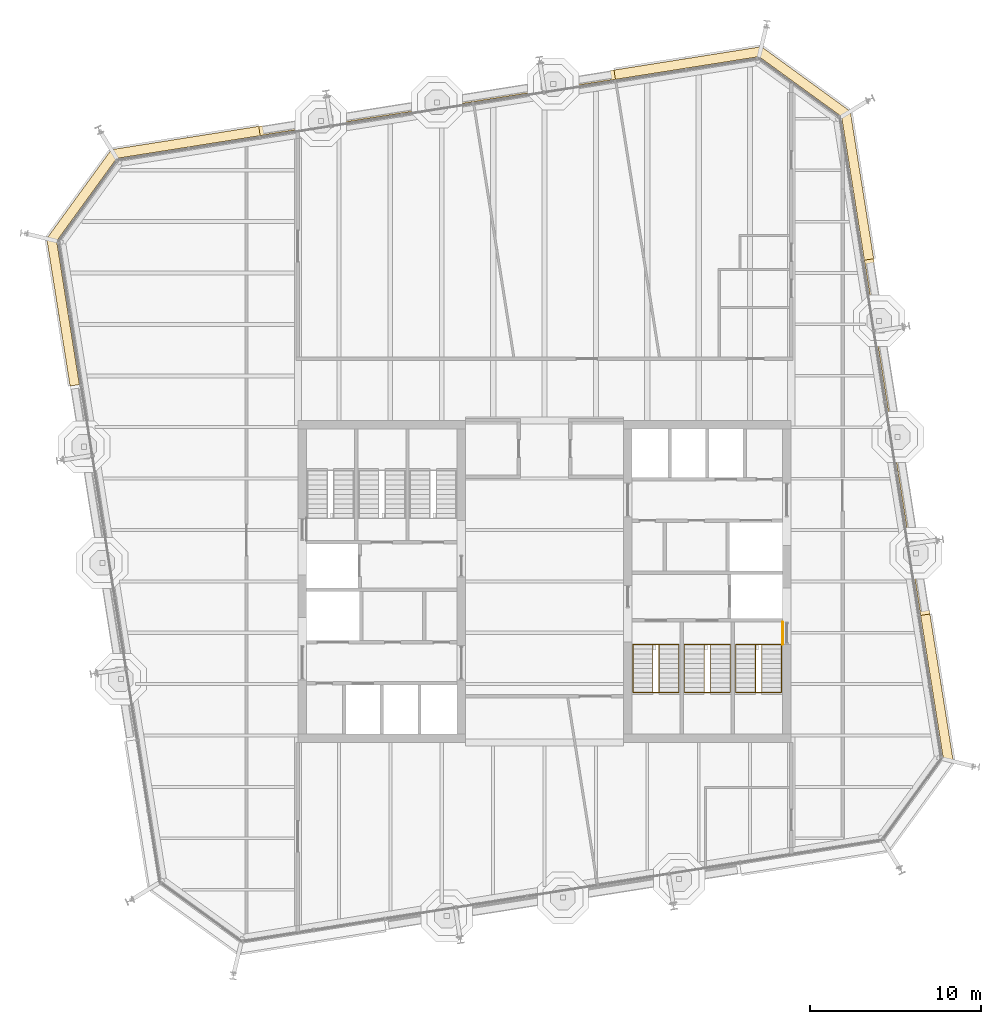
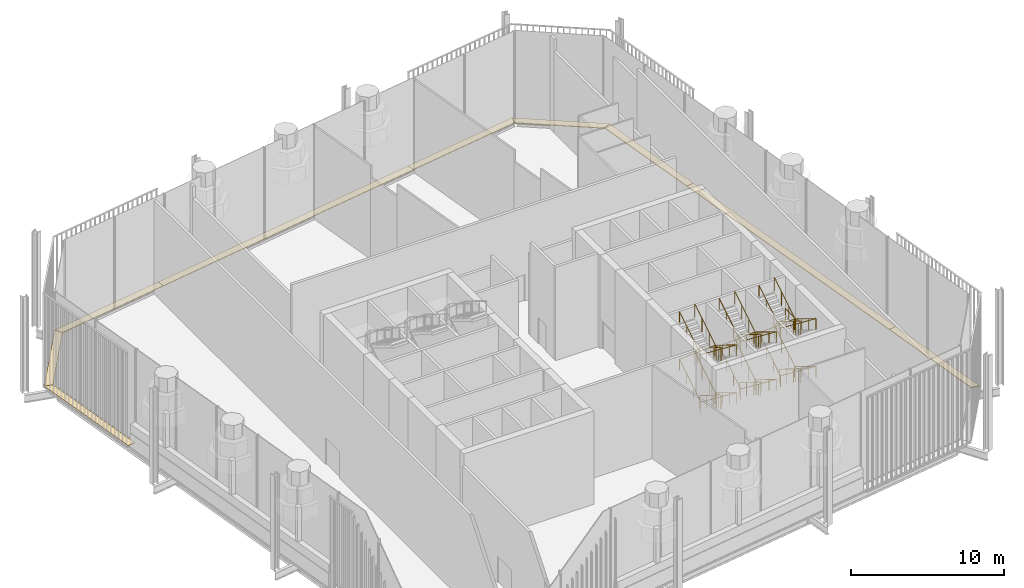
# One storey, part 16 of 17: 9 coverings, 7 railings.
"""IFC4 building model written with IfcOpenShell, lengths in metres."""

from ifc_helpers import new_model, si_unit, direction, frame, origin, origin_2d, place, context, subcontext, project, spatial, polyline, circle, outline, extrude, material, layer, layer_set, type_object, element, save


model = new_model("IFC4")

# Units and contexts
model_context = context("Model", 3, precision=1e-05, world=origin(), true_north=direction((0.0, 1.0)))
body_context = subcontext(model_context, "Body", "Model", "MODEL_VIEW")
ifc_project = project(units=[si_unit("LENGTHUNIT", "METRE"), si_unit("AREAUNIT", "SQUARE_METRE"), si_unit("VOLUMEUNIT", "CUBIC_METRE"), si_unit("PLANEANGLEUNIT", "RADIAN"), si_unit("MASSUNIT", "GRAM", prefix="KILO")], contexts=[model_context])

# Site, building, storey
site_placement = place(None, origin())
site = spatial("IfcSite", under=ifc_project, at=site_placement, CompositionType="ELEMENT")
building_placement = place(site_placement, origin())
building = spatial("IfcBuilding", under=site, at=building_placement, Name="Millrace Tower", CompositionType="ELEMENT")
storey_placement = place(building_placement, frame((0.0, 0.0, 239.800048828125)))
storey = spatial("IfcBuildingStorey", under=building, at=storey_placement, Name="L55", CompositionType="ELEMENT", Elevation=239.800048828125)

# Coverings
ifc_material_1 = material(Name="Steel ASTM A36", Category="steel")
ifc_layer = layer(ifc_material_1, 0.050048828125)
ifc_layer_set = layer_set([ifc_layer], Name="Steel ASTM A36")
covering_type = type_object("IfcCoveringType", Name="CAVITY CATWALK steel grating", PredefinedType="FLOORING", material=ifc_layer_set)
placement = place(storey_placement, frame((0.0, 0.0, 0.099853515625)))
element("IfcCovering", 1, at=placement, inside=storey, type_object=covering_type, Name="Cavity catwalk grating D-F04 L55 1", PredefinedType="FLOORING", context=body_context, shape_type="SweptSolid", body=[
    extrude(outline(polyline([(23.86279296875, -10.5087890625), (22.500244140625, -1.905517578125), (21.95703125, -1.991455078125), (23.283935546875, -10.369873046875), (23.86279296875, -10.5087890625)])), origin(), (0.0, 0.0, 1.0), 0.050048828125),
])
element("IfcCovering", 2, at=placement, inside=storey, type_object=covering_type, Name="Cavity catwalk grating D-F04 L55 2", PredefinedType="FLOORING", context=body_context, shape_type="SweptSolid", body=[
    extrude(outline(polyline([(22.500244140625, -1.905517578125), (19.215087890625, 18.8359375), (18.671875, 18.75), (21.95703125, -1.991455078125), (22.500244140625, -1.905517578125)])), origin(), (0.0, 0.0, 1.0), 0.050048828125),
])
element("IfcCovering", 3, at=placement, inside=storey, type_object=covering_type, Name="Cavity catwalk grating D-F04 L55 3", PredefinedType="FLOORING", context=body_context, shape_type="SweptSolid", body=[
    extrude(outline(polyline([(19.215087890625, 18.8359375), (17.852294921875, 27.439453125), (17.3447265625, 27.12841796875), (18.671875, 18.75), (19.215087890625, 18.8359375)])), origin(), (0.0, 0.0, 1.0), 0.050048828125),
])
element("IfcCovering", 4, at=placement, inside=storey, type_object=covering_type, Name="Cavity catwalk grating D-F05 L55 1", PredefinedType="FLOORING", context=body_context, shape_type="SweptSolid", body=[
    extrude(outline(polyline([(17.852294921875, 27.439453125), (12.658935546875, 31.212890625), (12.519775390625, 30.634033203125), (17.3447265625, 27.12841796875), (17.852294921875, 27.439453125)])), origin(), (0.0, 0.0, 1.0), 0.050048828125),
])
element("IfcCovering", 5, at=placement, inside=storey, type_object=covering_type, Name="Cavity catwalk grating D-F06 L55 1", PredefinedType="FLOORING", context=body_context, shape_type="SweptSolid", body=[
    extrude(outline(polyline([(12.658935546875, 31.212890625), (4.055419921875, 29.85009765625), (4.141357421875, 29.306884765625), (12.519775390625, 30.634033203125), (12.658935546875, 31.212890625)])), origin(), (0.0, 0.0, 1.0), 0.050048828125),
])
element("IfcCovering", 6, at=placement, inside=storey, type_object=covering_type, Name="Cavity catwalk grating D-F06 L55 2", PredefinedType="FLOORING", context=body_context, shape_type="SweptSolid", body=[
    extrude(outline(polyline([(4.055419921875, 29.85009765625), (-16.68603515625, 26.56494140625), (-16.60009765625, 26.021728515625), (4.141357421875, 29.306884765625), (4.055419921875, 29.85009765625)])), origin(), (0.0, 0.0, 1.0), 0.050048828125),
])
element("IfcCovering", 7, at=placement, inside=storey, type_object=covering_type, Name="Cavity catwalk grating D-F06 L55 3", PredefinedType="FLOORING", context=body_context, shape_type="SweptSolid", body=[
    extrude(outline(polyline([(-16.68603515625, 26.56494140625), (-25.28955078125, 25.202392578125), (-24.978515625, 24.69482421875), (-16.60009765625, 26.021728515625), (-16.68603515625, 26.56494140625)])), origin(), (0.0, 0.0, 1.0), 0.050048828125),
])
element("IfcCovering", 8, at=placement, inside=storey, type_object=covering_type, Name="Cavity catwalk grating D-F07 L55 1", PredefinedType="FLOORING", context=body_context, shape_type="SweptSolid", body=[
    extrude(outline(polyline([(-25.28955078125, 25.202392578125), (-29.062744140625, 20.0087890625), (-28.48388671875, 19.869873046875), (-24.978515625, 24.69482421875), (-25.28955078125, 25.202392578125)])), origin(), (0.0, 0.0, 1.0), 0.050048828125),
])
element("IfcCovering", 9, at=placement, inside=storey, type_object=covering_type, Name="Cavity catwalk grating D-F08 L55 1", PredefinedType="FLOORING", context=body_context, shape_type="SweptSolid", body=[
    extrude(outline(polyline([(-29.062744140625, 20.0087890625), (-27.7001953125, 11.405517578125), (-27.156982421875, 11.491455078125), (-28.48388671875, 19.869873046875), (-29.062744140625, 20.0087890625)])), origin(), (0.0, 0.0, 1.0), 0.050048828125),
])

# Railings
ifc_material_2 = material(Name="Stainless steel ASTM A240 type 316", Category="steel")
railing_type_1 = type_object("IfcRailingType", Name="Stair guard 1100", PredefinedType="GUARDRAIL", material=ifc_material_2)
railing_1_placement = place(storey_placement, frame((12.679931640625, -3.679931640625, 0.172607421875)))
element("IfcRailing", 10, at=railing_1_placement, inside=storey, type_object=railing_type_1, Name="Stair guard 1 E L55", PredefinedType="GUARDRAIL", context=body_context, shape_type="SweptSolid", body=[
    extrude(circle(Radius=0.02392578125, at=origin_2d()), frame((0.0, 0.0, 1.076171875), z_axis=(0.0, -0.851089632645, 0.525020415988), x_axis=(1.0, 0.0, 0.0)), (0.0, 0.0, 1.0), 3.2900390625),
    extrude(circle(Radius=0.02392578125, at=origin_2d()), frame((0.0, -2.800048828125, 2.80322265625), z_axis=(-0.901408511443, 0.0, 0.432969624221), x_axis=(0.0, -1.0, 0.0)), (0.0, 0.0, 1.0), 0.399169921875),
    extrude(circle(Radius=0.02392578125, at=origin_2d()), frame((-0.35986328125, -2.800048828125, 2.97607421875), z_axis=(0.0, 0.851089632645, 0.525020415988), x_axis=(-1.0, 0.0, 0.0)), (0.0, 0.0, 1.0), 3.2900390625),
    extrude(circle(Radius=0.02392578125, at=origin_2d()), frame((-0.35986328125, 0.0, 4.70361328125), z_axis=(0.901647110569, 0.0, 0.432472528611), x_axis=(0.0, 1.0, 0.0)), (0.0, 0.0, 1.0), 0.399169921875),
    extrude(circle(Radius=0.02392578125, at=origin_2d()), frame((0.0, 0.0, 4.8759765625), z_axis=(0.0, -0.851089632645, 0.525020415988), x_axis=(1.0, 0.0, 0.0)), (0.0, 0.0, 1.0), 3.2900390625),
    extrude(circle(Radius=0.02392578125, at=origin_2d()), frame((0.0, -2.800048828125, 6.603515625), z_axis=(-0.901647110569, 0.0, 0.432472528611), x_axis=(0.0, -1.0, 0.0)), (0.0, 0.0, 1.0), 0.399169921875),
    extrude(circle(Radius=0.02392578125, at=origin_2d()), frame((-0.35986328125, -2.800048828125, 6.77587890625), z_axis=(0.0, 0.851089632645, 0.525020415988), x_axis=(-1.0, 0.0, 0.0)), (0.0, 0.0, 1.0), 3.2900390625),
    extrude(circle(Radius=0.02099609375, at=origin_2d()), origin(), (0.0, 0.0, 1.0), 1.052001953125),
    extrude(circle(Radius=0.02099609375, at=origin_2d()), frame((0.0, -0.933349609375, 0.57568359375)), (0.0, 0.0, 1.0), 1.052001953125),
    extrude(circle(Radius=0.02099609375, at=origin_2d()), frame((0.0, -1.86669921875, 1.151611328125)), (0.0, 0.0, 1.0), 1.052001953125),
    extrude(circle(Radius=0.02099609375, at=origin_2d()), frame((0.0, -2.800048828125, 1.727294921875)), (0.0, 0.0, 1.0), 1.052001953125),
    extrude(circle(Radius=0.02099609375, at=origin_2d()), frame((-0.35986328125, -2.800048828125, 1.900146484375)), (0.0, 0.0, 1.0), 1.052001953125),
    extrude(circle(Radius=0.02099609375, at=origin_2d()), frame((-0.35986328125, -1.86669921875, 2.475830078125)), (0.0, 0.0, 1.0), 1.052001953125),
    extrude(circle(Radius=0.02099609375, at=origin_2d()), frame((-0.35986328125, -0.933349609375, 3.0517578125)), (0.0, 0.0, 1.0), 1.052001953125),
    extrude(circle(Radius=0.02099609375, at=origin_2d()), frame((-0.35986328125, 0.0, 3.62744140625)), (0.0, 0.0, 1.0), 1.052001953125),
    extrude(circle(Radius=0.02099609375, at=origin_2d()), frame((0.0, 0.0, 3.800048828125)), (0.0, 0.0, 1.0), 1.052001953125),
    extrude(circle(Radius=0.02099609375, at=origin_2d()), frame((0.0, -0.933349609375, 4.375732421875)), (0.0, 0.0, 1.0), 1.052001953125),
    extrude(circle(Radius=0.02099609375, at=origin_2d()), frame((0.0, -1.86669921875, 4.95166015625)), (0.0, 0.0, 1.0), 1.052001953125),
    extrude(circle(Radius=0.02099609375, at=origin_2d()), frame((0.0, -2.800048828125, 5.52734375)), (0.0, 0.0, 1.0), 1.052001953125),
    extrude(circle(Radius=0.02099609375, at=origin_2d()), frame((-0.35986328125, -2.800048828125, 5.699951171875)), (0.0, 0.0, 1.0), 1.052001953125),
    extrude(circle(Radius=0.02099609375, at=origin_2d()), frame((-0.35986328125, -1.86669921875, 6.275634765625)), (0.0, 0.0, 1.0), 1.052001953125),
    extrude(circle(Radius=0.02099609375, at=origin_2d()), frame((-0.35986328125, -0.933349609375, 6.8515625)), (0.0, 0.0, 1.0), 1.052001953125),
    extrude(circle(Radius=0.02099609375, at=origin_2d()), frame((-0.35986328125, 0.0, 7.42724609375)), (0.0, 0.0, 1.0), 1.052001953125),
])
railing_2_placement = place(storey_placement, frame((13.89990234375, -3.679931640625, 3.800048828125)))
element("IfcRailing", 11, at=railing_2_placement, inside=storey, type_object=railing_type_1, Name="Stair door landing guard E L55", PredefinedType="GUARDRAIL", context=body_context, shape_type="SweptSolid", body=[
    extrude(circle(Radius=0.02392578125, at=origin_2d()), frame((0.0, 0.0, 1.076171875), z_axis=(0.0, 1.0, 0.0), x_axis=(-1.0, 0.0, 0.0)), (0.0, 0.0, 1.0), 1.300048828125),
    extrude(circle(Radius=0.02099609375, at=origin_2d()), origin(), (0.0, 0.0, 1.0), 1.052001953125),
    extrude(circle(Radius=0.02099609375, at=origin_2d()), frame((0.0, 1.300048828125, 0.0)), (0.0, 0.0, 1.0), 1.052001953125),
])
railing_3_placement = place(storey_placement, frame((9.679931640625, -3.679931640625, 0.172607421875)))
element("IfcRailing", 12, at=railing_3_placement, inside=storey, type_object=railing_type_1, Name="Stair guard 2 E L55", PredefinedType="GUARDRAIL", context=body_context, shape_type="SweptSolid", body=[
    extrude(circle(Radius=0.02392578125, at=origin_2d()), frame((0.0, 0.0, 1.076171875), z_axis=(0.0, -0.851089632645, 0.525020415988), x_axis=(1.0, 0.0, 0.0)), (0.0, 0.0, 1.0), 3.2900390625),
    extrude(circle(Radius=0.02392578125, at=origin_2d()), frame((0.0, -2.800048828125, 2.80322265625), z_axis=(-0.901408511443, 0.0, 0.432969624221), x_axis=(0.0, -1.0, 0.0)), (0.0, 0.0, 1.0), 0.399169921875),
    extrude(circle(Radius=0.02392578125, at=origin_2d()), frame((-0.35986328125, -2.800048828125, 2.97607421875), z_axis=(0.0, 0.851089632645, 0.525020415988), x_axis=(-1.0, 0.0, 0.0)), (0.0, 0.0, 1.0), 3.2900390625),
    extrude(circle(Radius=0.02392578125, at=origin_2d()), frame((-0.35986328125, 0.0, 4.70361328125), z_axis=(0.901647110569, 0.0, 0.432472528611), x_axis=(0.0, 1.0, 0.0)), (0.0, 0.0, 1.0), 0.399169921875),
    extrude(circle(Radius=0.02392578125, at=origin_2d()), frame((0.0, 0.0, 4.8759765625), z_axis=(0.0, -0.851089632645, 0.525020415988), x_axis=(1.0, 0.0, 0.0)), (0.0, 0.0, 1.0), 3.2900390625),
    extrude(circle(Radius=0.02392578125, at=origin_2d()), frame((0.0, -2.800048828125, 6.603515625), z_axis=(-0.901647110569, 0.0, 0.432472528611), x_axis=(0.0, -1.0, 0.0)), (0.0, 0.0, 1.0), 0.399169921875),
    extrude(circle(Radius=0.02392578125, at=origin_2d()), frame((-0.35986328125, -2.800048828125, 6.77587890625), z_axis=(0.0, 0.851089632645, 0.525020415988), x_axis=(-1.0, 0.0, 0.0)), (0.0, 0.0, 1.0), 3.2900390625),
    extrude(circle(Radius=0.02099609375, at=origin_2d()), origin(), (0.0, 0.0, 1.0), 1.052001953125),
    extrude(circle(Radius=0.02099609375, at=origin_2d()), frame((0.0, -0.933349609375, 0.57568359375)), (0.0, 0.0, 1.0), 1.052001953125),
    extrude(circle(Radius=0.02099609375, at=origin_2d()), frame((0.0, -1.86669921875, 1.151611328125)), (0.0, 0.0, 1.0), 1.052001953125),
    extrude(circle(Radius=0.02099609375, at=origin_2d()), frame((0.0, -2.800048828125, 1.727294921875)), (0.0, 0.0, 1.0), 1.052001953125),
    extrude(circle(Radius=0.02099609375, at=origin_2d()), frame((-0.35986328125, -2.800048828125, 1.900146484375)), (0.0, 0.0, 1.0), 1.052001953125),
    extrude(circle(Radius=0.02099609375, at=origin_2d()), frame((-0.35986328125, -1.86669921875, 2.475830078125)), (0.0, 0.0, 1.0), 1.052001953125),
    extrude(circle(Radius=0.02099609375, at=origin_2d()), frame((-0.35986328125, -0.933349609375, 3.0517578125)), (0.0, 0.0, 1.0), 1.052001953125),
    extrude(circle(Radius=0.02099609375, at=origin_2d()), frame((-0.35986328125, 0.0, 3.62744140625)), (0.0, 0.0, 1.0), 1.052001953125),
    extrude(circle(Radius=0.02099609375, at=origin_2d()), frame((0.0, 0.0, 3.800048828125)), (0.0, 0.0, 1.0), 1.052001953125),
    extrude(circle(Radius=0.02099609375, at=origin_2d()), frame((0.0, -0.933349609375, 4.375732421875)), (0.0, 0.0, 1.0), 1.052001953125),
    extrude(circle(Radius=0.02099609375, at=origin_2d()), frame((0.0, -1.86669921875, 4.95166015625)), (0.0, 0.0, 1.0), 1.052001953125),
    extrude(circle(Radius=0.02099609375, at=origin_2d()), frame((0.0, -2.800048828125, 5.52734375)), (0.0, 0.0, 1.0), 1.052001953125),
    extrude(circle(Radius=0.02099609375, at=origin_2d()), frame((-0.35986328125, -2.800048828125, 5.699951171875)), (0.0, 0.0, 1.0), 1.052001953125),
    extrude(circle(Radius=0.02099609375, at=origin_2d()), frame((-0.35986328125, -1.86669921875, 6.275634765625)), (0.0, 0.0, 1.0), 1.052001953125),
    extrude(circle(Radius=0.02099609375, at=origin_2d()), frame((-0.35986328125, -0.933349609375, 6.8515625)), (0.0, 0.0, 1.0), 1.052001953125),
    extrude(circle(Radius=0.02099609375, at=origin_2d()), frame((-0.35986328125, 0.0, 7.42724609375)), (0.0, 0.0, 1.0), 1.052001953125),
])
railing_4_placement = place(storey_placement, frame((6.679931640625, -3.679931640625, 0.172607421875)))
element("IfcRailing", 13, at=railing_4_placement, inside=storey, type_object=railing_type_1, Name="Stair guard 3 E L55", PredefinedType="GUARDRAIL", context=body_context, shape_type="SweptSolid", body=[
    extrude(circle(Radius=0.02392578125, at=origin_2d()), frame((0.0, 0.0, 1.076171875), z_axis=(0.0, -0.851089632645, 0.525020415988), x_axis=(1.0, 0.0, 0.0)), (0.0, 0.0, 1.0), 3.2900390625),
    extrude(circle(Radius=0.02392578125, at=origin_2d()), frame((0.0, -2.800048828125, 2.80322265625), z_axis=(-0.901408511443, 0.0, 0.432969624221), x_axis=(0.0, -1.0, 0.0)), (0.0, 0.0, 1.0), 0.399169921875),
    extrude(circle(Radius=0.02392578125, at=origin_2d()), frame((-0.35986328125, -2.800048828125, 2.97607421875), z_axis=(0.0, 0.851089632645, 0.525020415988), x_axis=(-1.0, 0.0, 0.0)), (0.0, 0.0, 1.0), 3.2900390625),
    extrude(circle(Radius=0.02392578125, at=origin_2d()), frame((-0.35986328125, 0.0, 4.70361328125), z_axis=(0.901647110569, 0.0, 0.432472528611), x_axis=(0.0, 1.0, 0.0)), (0.0, 0.0, 1.0), 0.399169921875),
    extrude(circle(Radius=0.02392578125, at=origin_2d()), frame((0.0, 0.0, 4.8759765625), z_axis=(0.0, -0.851089632645, 0.525020415988), x_axis=(1.0, 0.0, 0.0)), (0.0, 0.0, 1.0), 3.2900390625),
    extrude(circle(Radius=0.02392578125, at=origin_2d()), frame((0.0, -2.800048828125, 6.603515625), z_axis=(-0.901647110569, 0.0, 0.432472528611), x_axis=(0.0, -1.0, 0.0)), (0.0, 0.0, 1.0), 0.399169921875),
    extrude(circle(Radius=0.02392578125, at=origin_2d()), frame((-0.35986328125, -2.800048828125, 6.77587890625), z_axis=(0.0, 0.851089632645, 0.525020415988), x_axis=(-1.0, 0.0, 0.0)), (0.0, 0.0, 1.0), 3.2900390625),
    extrude(circle(Radius=0.02099609375, at=origin_2d()), origin(), (0.0, 0.0, 1.0), 1.052001953125),
    extrude(circle(Radius=0.02099609375, at=origin_2d()), frame((0.0, -0.933349609375, 0.57568359375)), (0.0, 0.0, 1.0), 1.052001953125),
    extrude(circle(Radius=0.02099609375, at=origin_2d()), frame((0.0, -1.86669921875, 1.151611328125)), (0.0, 0.0, 1.0), 1.052001953125),
    extrude(circle(Radius=0.02099609375, at=origin_2d()), frame((0.0, -2.800048828125, 1.727294921875)), (0.0, 0.0, 1.0), 1.052001953125),
    extrude(circle(Radius=0.02099609375, at=origin_2d()), frame((-0.35986328125, -2.800048828125, 1.900146484375)), (0.0, 0.0, 1.0), 1.052001953125),
    extrude(circle(Radius=0.02099609375, at=origin_2d()), frame((-0.35986328125, -1.86669921875, 2.475830078125)), (0.0, 0.0, 1.0), 1.052001953125),
    extrude(circle(Radius=0.02099609375, at=origin_2d()), frame((-0.35986328125, -0.933349609375, 3.0517578125)), (0.0, 0.0, 1.0), 1.052001953125),
    extrude(circle(Radius=0.02099609375, at=origin_2d()), frame((-0.35986328125, 0.0, 3.62744140625)), (0.0, 0.0, 1.0), 1.052001953125),
    extrude(circle(Radius=0.02099609375, at=origin_2d()), frame((0.0, 0.0, 3.800048828125)), (0.0, 0.0, 1.0), 1.052001953125),
    extrude(circle(Radius=0.02099609375, at=origin_2d()), frame((0.0, -0.933349609375, 4.375732421875)), (0.0, 0.0, 1.0), 1.052001953125),
    extrude(circle(Radius=0.02099609375, at=origin_2d()), frame((0.0, -1.86669921875, 4.95166015625)), (0.0, 0.0, 1.0), 1.052001953125),
    extrude(circle(Radius=0.02099609375, at=origin_2d()), frame((0.0, -2.800048828125, 5.52734375)), (0.0, 0.0, 1.0), 1.052001953125),
    extrude(circle(Radius=0.02099609375, at=origin_2d()), frame((-0.35986328125, -2.800048828125, 5.699951171875)), (0.0, 0.0, 1.0), 1.052001953125),
    extrude(circle(Radius=0.02099609375, at=origin_2d()), frame((-0.35986328125, -1.86669921875, 6.275634765625)), (0.0, 0.0, 1.0), 1.052001953125),
    extrude(circle(Radius=0.02099609375, at=origin_2d()), frame((-0.35986328125, -0.933349609375, 6.8515625)), (0.0, 0.0, 1.0), 1.052001953125),
    extrude(circle(Radius=0.02099609375, at=origin_2d()), frame((-0.35986328125, 0.0, 7.42724609375)), (0.0, 0.0, 1.0), 1.052001953125),
])
ifc_material_3 = material(Name="Stainless steel ASTM A240 type 316", Category="steel")
railing_type_2 = type_object("IfcRailingType", Name="Stair handrail 900", PredefinedType="HANDRAIL", material=ifc_material_3)
railing_5_placement = place(storey_placement, frame((13.840087890625, -3.679931640625, 0.172607421875)))
element("IfcRailing", 14, at=railing_5_placement, inside=storey, type_object=railing_type_2, Name="Stair handrail 1 E L55", PredefinedType="HANDRAIL", context=body_context, shape_type="SweptSolid", body=[
    extrude(circle(Radius=0.02392578125, at=origin_2d()), frame((0.0, 0.0, 0.8759765625), z_axis=(0.0, -0.851089632645, 0.525020415988), x_axis=(1.0, 0.0, 0.0)), (0.0, 0.0, 1.0), 3.2900390625),
    extrude(circle(Radius=0.02392578125, at=origin_2d()), frame((0.0, -2.800048828125, 2.60302734375), z_axis=(-0.997926815885, 0.0, 0.064358916528), x_axis=(0.0, -1.0, 0.0)), (0.0, 0.0, 1.0), 2.685791015625),
    extrude(circle(Radius=0.02392578125, at=origin_2d()), frame((-2.68017578125, -2.800048828125, 2.77587890625), z_axis=(0.0, 0.851089632645, 0.525020415988), x_axis=(-1.0, 0.0, 0.0)), (0.0, 0.0, 1.0), 3.2900390625),
    extrude(circle(Radius=0.02392578125, at=origin_2d()), frame((-2.68017578125, 0.0, 4.50341796875), z_axis=(0.997932650066, 0.0, 0.064268389834), x_axis=(0.0, 1.0, 0.0)), (0.0, 0.0, 1.0), 2.685791015625),
    extrude(circle(Radius=0.02392578125, at=origin_2d()), frame((0.0, 0.0, 4.67578125), z_axis=(0.0, -0.851089632645, 0.525020415988), x_axis=(1.0, 0.0, 0.0)), (0.0, 0.0, 1.0), 3.2900390625),
    extrude(circle(Radius=0.02392578125, at=origin_2d()), frame((0.0, -2.800048828125, 6.4033203125), z_axis=(-0.997932650066, 0.0, 0.064268389834), x_axis=(0.0, -1.0, 0.0)), (0.0, 0.0, 1.0), 2.685791015625),
    extrude(circle(Radius=0.02392578125, at=origin_2d()), frame((-2.68017578125, -2.800048828125, 6.57568359375), z_axis=(0.0, 0.851089632645, 0.525020415988), x_axis=(-1.0, 0.0, 0.0)), (0.0, 0.0, 1.0), 3.2900390625),
    extrude(circle(Radius=0.02099609375, at=origin_2d()), origin(), (0.0, 0.0, 1.0), 0.851806640625),
    extrude(circle(Radius=0.02099609375, at=origin_2d()), frame((0.0, -0.933349609375, 0.57568359375)), (0.0, 0.0, 1.0), 0.851806640625),
    extrude(circle(Radius=0.02099609375, at=origin_2d()), frame((0.0, -1.86669921875, 1.151611328125)), (0.0, 0.0, 1.0), 0.851806640625),
    extrude(circle(Radius=0.02099609375, at=origin_2d()), frame((0.0, -2.800048828125, 1.727294921875)), (0.0, 0.0, 1.0), 0.851806640625),
    extrude(circle(Radius=0.02099609375, at=origin_2d()), frame((-1.340087890625, -2.800048828125, 1.813720703125)), (0.0, 0.0, 1.0), 0.851806640625),
    extrude(circle(Radius=0.02099609375, at=origin_2d()), frame((-2.68017578125, -2.800048828125, 1.900146484375)), (0.0, 0.0, 1.0), 0.851806640625),
    extrude(circle(Radius=0.02099609375, at=origin_2d()), frame((-2.68017578125, -1.86669921875, 2.475830078125)), (0.0, 0.0, 1.0), 0.851806640625),
    extrude(circle(Radius=0.02099609375, at=origin_2d()), frame((-2.68017578125, -0.933349609375, 3.0517578125)), (0.0, 0.0, 1.0), 0.851806640625),
    extrude(circle(Radius=0.02099609375, at=origin_2d()), frame((-2.68017578125, 0.0, 3.62744140625)), (0.0, 0.0, 1.0), 0.851806640625),
    extrude(circle(Radius=0.02099609375, at=origin_2d()), frame((-1.340087890625, 0.0, 3.7138671875)), (0.0, 0.0, 1.0), 0.851806640625),
    extrude(circle(Radius=0.02099609375, at=origin_2d()), frame((0.0, 0.0, 3.800048828125)), (0.0, 0.0, 1.0), 0.851806640625),
    extrude(circle(Radius=0.02099609375, at=origin_2d()), frame((0.0, -0.933349609375, 4.375732421875)), (0.0, 0.0, 1.0), 0.851806640625),
    extrude(circle(Radius=0.02099609375, at=origin_2d()), frame((0.0, -1.86669921875, 4.95166015625)), (0.0, 0.0, 1.0), 0.851806640625),
    extrude(circle(Radius=0.02099609375, at=origin_2d()), frame((0.0, -2.800048828125, 5.52734375)), (0.0, 0.0, 1.0), 0.851806640625),
    extrude(circle(Radius=0.02099609375, at=origin_2d()), frame((-1.340087890625, -2.800048828125, 5.61376953125)), (0.0, 0.0, 1.0), 0.851806640625),
    extrude(circle(Radius=0.02099609375, at=origin_2d()), frame((-2.68017578125, -2.800048828125, 5.699951171875)), (0.0, 0.0, 1.0), 0.851806640625),
    extrude(circle(Radius=0.02099609375, at=origin_2d()), frame((-2.68017578125, -1.86669921875, 6.275634765625)), (0.0, 0.0, 1.0), 0.851806640625),
    extrude(circle(Radius=0.02099609375, at=origin_2d()), frame((-2.68017578125, -0.933349609375, 6.8515625)), (0.0, 0.0, 1.0), 0.851806640625),
    extrude(circle(Radius=0.02099609375, at=origin_2d()), frame((-2.68017578125, 0.0, 7.42724609375)), (0.0, 0.0, 1.0), 0.851806640625),
])
railing_6_placement = place(storey_placement, frame((10.840087890625, -3.679931640625, 0.172607421875)))
element("IfcRailing", 15, at=railing_6_placement, inside=storey, type_object=railing_type_2, Name="Stair handrail 2 E L55", PredefinedType="HANDRAIL", context=body_context, shape_type="SweptSolid", body=[
    extrude(circle(Radius=0.02392578125, at=origin_2d()), frame((0.0, 0.0, 0.8759765625), z_axis=(0.0, -0.851089632645, 0.525020415988), x_axis=(1.0, 0.0, 0.0)), (0.0, 0.0, 1.0), 3.2900390625),
    extrude(circle(Radius=0.02392578125, at=origin_2d()), frame((0.0, -2.800048828125, 2.60302734375), z_axis=(-0.997926815885, 0.0, 0.064358916528), x_axis=(0.0, -1.0, 0.0)), (0.0, 0.0, 1.0), 2.685791015625),
    extrude(circle(Radius=0.02392578125, at=origin_2d()), frame((-2.68017578125, -2.800048828125, 2.77587890625), z_axis=(0.0, 0.851089632645, 0.525020415988), x_axis=(-1.0, 0.0, 0.0)), (0.0, 0.0, 1.0), 3.2900390625),
    extrude(circle(Radius=0.02392578125, at=origin_2d()), frame((-2.68017578125, 0.0, 4.50341796875), z_axis=(0.997932650066, 0.0, 0.064268389834), x_axis=(0.0, 1.0, 0.0)), (0.0, 0.0, 1.0), 2.685791015625),
    extrude(circle(Radius=0.02392578125, at=origin_2d()), frame((0.0, 0.0, 4.67578125), z_axis=(0.0, -0.851089632645, 0.525020415988), x_axis=(1.0, 0.0, 0.0)), (0.0, 0.0, 1.0), 3.2900390625),
    extrude(circle(Radius=0.02392578125, at=origin_2d()), frame((0.0, -2.800048828125, 6.4033203125), z_axis=(-0.997932650066, 0.0, 0.064268389834), x_axis=(0.0, -1.0, 0.0)), (0.0, 0.0, 1.0), 2.685791015625),
    extrude(circle(Radius=0.02392578125, at=origin_2d()), frame((-2.68017578125, -2.800048828125, 6.57568359375), z_axis=(0.0, 0.851089632645, 0.525020415988), x_axis=(-1.0, 0.0, 0.0)), (0.0, 0.0, 1.0), 3.2900390625),
    extrude(circle(Radius=0.02099609375, at=origin_2d()), origin(), (0.0, 0.0, 1.0), 0.851806640625),
    extrude(circle(Radius=0.02099609375, at=origin_2d()), frame((0.0, -0.933349609375, 0.57568359375)), (0.0, 0.0, 1.0), 0.851806640625),
    extrude(circle(Radius=0.02099609375, at=origin_2d()), frame((0.0, -1.86669921875, 1.151611328125)), (0.0, 0.0, 1.0), 0.851806640625),
    extrude(circle(Radius=0.02099609375, at=origin_2d()), frame((0.0, -2.800048828125, 1.727294921875)), (0.0, 0.0, 1.0), 0.851806640625),
    extrude(circle(Radius=0.02099609375, at=origin_2d()), frame((-1.340087890625, -2.800048828125, 1.813720703125)), (0.0, 0.0, 1.0), 0.851806640625),
    extrude(circle(Radius=0.02099609375, at=origin_2d()), frame((-2.68017578125, -2.800048828125, 1.900146484375)), (0.0, 0.0, 1.0), 0.851806640625),
    extrude(circle(Radius=0.02099609375, at=origin_2d()), frame((-2.68017578125, -1.86669921875, 2.475830078125)), (0.0, 0.0, 1.0), 0.851806640625),
    extrude(circle(Radius=0.02099609375, at=origin_2d()), frame((-2.68017578125, -0.933349609375, 3.0517578125)), (0.0, 0.0, 1.0), 0.851806640625),
    extrude(circle(Radius=0.02099609375, at=origin_2d()), frame((-2.68017578125, 0.0, 3.62744140625)), (0.0, 0.0, 1.0), 0.851806640625),
    extrude(circle(Radius=0.02099609375, at=origin_2d()), frame((-1.340087890625, 0.0, 3.7138671875)), (0.0, 0.0, 1.0), 0.851806640625),
    extrude(circle(Radius=0.02099609375, at=origin_2d()), frame((0.0, 0.0, 3.800048828125)), (0.0, 0.0, 1.0), 0.851806640625),
    extrude(circle(Radius=0.02099609375, at=origin_2d()), frame((0.0, -0.933349609375, 4.375732421875)), (0.0, 0.0, 1.0), 0.851806640625),
    extrude(circle(Radius=0.02099609375, at=origin_2d()), frame((0.0, -1.86669921875, 4.95166015625)), (0.0, 0.0, 1.0), 0.851806640625),
    extrude(circle(Radius=0.02099609375, at=origin_2d()), frame((0.0, -2.800048828125, 5.52734375)), (0.0, 0.0, 1.0), 0.851806640625),
    extrude(circle(Radius=0.02099609375, at=origin_2d()), frame((-1.340087890625, -2.800048828125, 5.61376953125)), (0.0, 0.0, 1.0), 0.851806640625),
    extrude(circle(Radius=0.02099609375, at=origin_2d()), frame((-2.68017578125, -2.800048828125, 5.699951171875)), (0.0, 0.0, 1.0), 0.851806640625),
    extrude(circle(Radius=0.02099609375, at=origin_2d()), frame((-2.68017578125, -1.86669921875, 6.275634765625)), (0.0, 0.0, 1.0), 0.851806640625),
    extrude(circle(Radius=0.02099609375, at=origin_2d()), frame((-2.68017578125, -0.933349609375, 6.8515625)), (0.0, 0.0, 1.0), 0.851806640625),
    extrude(circle(Radius=0.02099609375, at=origin_2d()), frame((-2.68017578125, 0.0, 7.42724609375)), (0.0, 0.0, 1.0), 0.851806640625),
])
railing_7_placement = place(storey_placement, frame((7.840087890625, -3.679931640625, 0.172607421875)))
element("IfcRailing", 16, at=railing_7_placement, inside=storey, type_object=railing_type_2, Name="Stair handrail 3 E L55", PredefinedType="HANDRAIL", context=body_context, shape_type="SweptSolid", body=[
    extrude(circle(Radius=0.02392578125, at=origin_2d()), frame((0.0, 0.0, 0.8759765625), z_axis=(0.0, -0.851089632645, 0.525020415988), x_axis=(1.0, 0.0, 0.0)), (0.0, 0.0, 1.0), 3.2900390625),
    extrude(circle(Radius=0.02392578125, at=origin_2d()), frame((0.0, -2.800048828125, 2.60302734375), z_axis=(-0.997926815885, 0.0, 0.064358916528), x_axis=(0.0, -1.0, 0.0)), (0.0, 0.0, 1.0), 2.685791015625),
    extrude(circle(Radius=0.02392578125, at=origin_2d()), frame((-2.68017578125, -2.800048828125, 2.77587890625), z_axis=(0.0, 0.851089632645, 0.525020415988), x_axis=(-1.0, 0.0, 0.0)), (0.0, 0.0, 1.0), 3.2900390625),
    extrude(circle(Radius=0.02392578125, at=origin_2d()), frame((-2.68017578125, 0.0, 4.50341796875), z_axis=(0.997932650066, 0.0, 0.064268389834), x_axis=(0.0, 1.0, 0.0)), (0.0, 0.0, 1.0), 2.685791015625),
    extrude(circle(Radius=0.02392578125, at=origin_2d()), frame((0.0, 0.0, 4.67578125), z_axis=(0.0, -0.851089632645, 0.525020415988), x_axis=(1.0, 0.0, 0.0)), (0.0, 0.0, 1.0), 3.2900390625),
    extrude(circle(Radius=0.02392578125, at=origin_2d()), frame((0.0, -2.800048828125, 6.4033203125), z_axis=(-0.997932650066, 0.0, 0.064268389834), x_axis=(0.0, -1.0, 0.0)), (0.0, 0.0, 1.0), 2.685791015625),
    extrude(circle(Radius=0.02392578125, at=origin_2d()), frame((-2.68017578125, -2.800048828125, 6.57568359375), z_axis=(0.0, 0.851089632645, 0.525020415988), x_axis=(-1.0, 0.0, 0.0)), (0.0, 0.0, 1.0), 3.2900390625),
    extrude(circle(Radius=0.02099609375, at=origin_2d()), origin(), (0.0, 0.0, 1.0), 0.851806640625),
    extrude(circle(Radius=0.02099609375, at=origin_2d()), frame((0.0, -0.933349609375, 0.57568359375)), (0.0, 0.0, 1.0), 0.851806640625),
    extrude(circle(Radius=0.02099609375, at=origin_2d()), frame((0.0, -1.86669921875, 1.151611328125)), (0.0, 0.0, 1.0), 0.851806640625),
    extrude(circle(Radius=0.02099609375, at=origin_2d()), frame((0.0, -2.800048828125, 1.727294921875)), (0.0, 0.0, 1.0), 0.851806640625),
    extrude(circle(Radius=0.02099609375, at=origin_2d()), frame((-1.340087890625, -2.800048828125, 1.813720703125)), (0.0, 0.0, 1.0), 0.851806640625),
    extrude(circle(Radius=0.02099609375, at=origin_2d()), frame((-2.68017578125, -2.800048828125, 1.900146484375)), (0.0, 0.0, 1.0), 0.851806640625),
    extrude(circle(Radius=0.02099609375, at=origin_2d()), frame((-2.68017578125, -1.86669921875, 2.475830078125)), (0.0, 0.0, 1.0), 0.851806640625),
    extrude(circle(Radius=0.02099609375, at=origin_2d()), frame((-2.68017578125, -0.933349609375, 3.0517578125)), (0.0, 0.0, 1.0), 0.851806640625),
    extrude(circle(Radius=0.02099609375, at=origin_2d()), frame((-2.68017578125, 0.0, 3.62744140625)), (0.0, 0.0, 1.0), 0.851806640625),
    extrude(circle(Radius=0.02099609375, at=origin_2d()), frame((-1.340087890625, 0.0, 3.7138671875)), (0.0, 0.0, 1.0), 0.851806640625),
    extrude(circle(Radius=0.02099609375, at=origin_2d()), frame((0.0, 0.0, 3.800048828125)), (0.0, 0.0, 1.0), 0.851806640625),
    extrude(circle(Radius=0.02099609375, at=origin_2d()), frame((0.0, -0.933349609375, 4.375732421875)), (0.0, 0.0, 1.0), 0.851806640625),
    extrude(circle(Radius=0.02099609375, at=origin_2d()), frame((0.0, -1.86669921875, 4.95166015625)), (0.0, 0.0, 1.0), 0.851806640625),
    extrude(circle(Radius=0.02099609375, at=origin_2d()), frame((0.0, -2.800048828125, 5.52734375)), (0.0, 0.0, 1.0), 0.851806640625),
    extrude(circle(Radius=0.02099609375, at=origin_2d()), frame((-1.340087890625, -2.800048828125, 5.61376953125)), (0.0, 0.0, 1.0), 0.851806640625),
    extrude(circle(Radius=0.02099609375, at=origin_2d()), frame((-2.68017578125, -2.800048828125, 5.699951171875)), (0.0, 0.0, 1.0), 0.851806640625),
    extrude(circle(Radius=0.02099609375, at=origin_2d()), frame((-2.68017578125, -1.86669921875, 6.275634765625)), (0.0, 0.0, 1.0), 0.851806640625),
    extrude(circle(Radius=0.02099609375, at=origin_2d()), frame((-2.68017578125, -0.933349609375, 6.8515625)), (0.0, 0.0, 1.0), 0.851806640625),
    extrude(circle(Radius=0.02099609375, at=origin_2d()), frame((-2.68017578125, 0.0, 7.42724609375)), (0.0, 0.0, 1.0), 0.851806640625),
])

save(model, "model.ifc")
